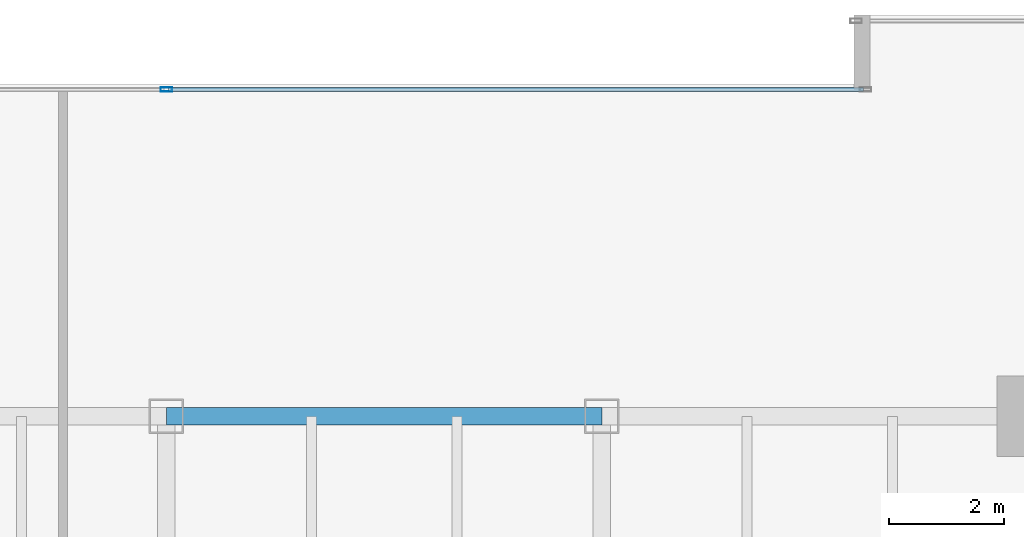
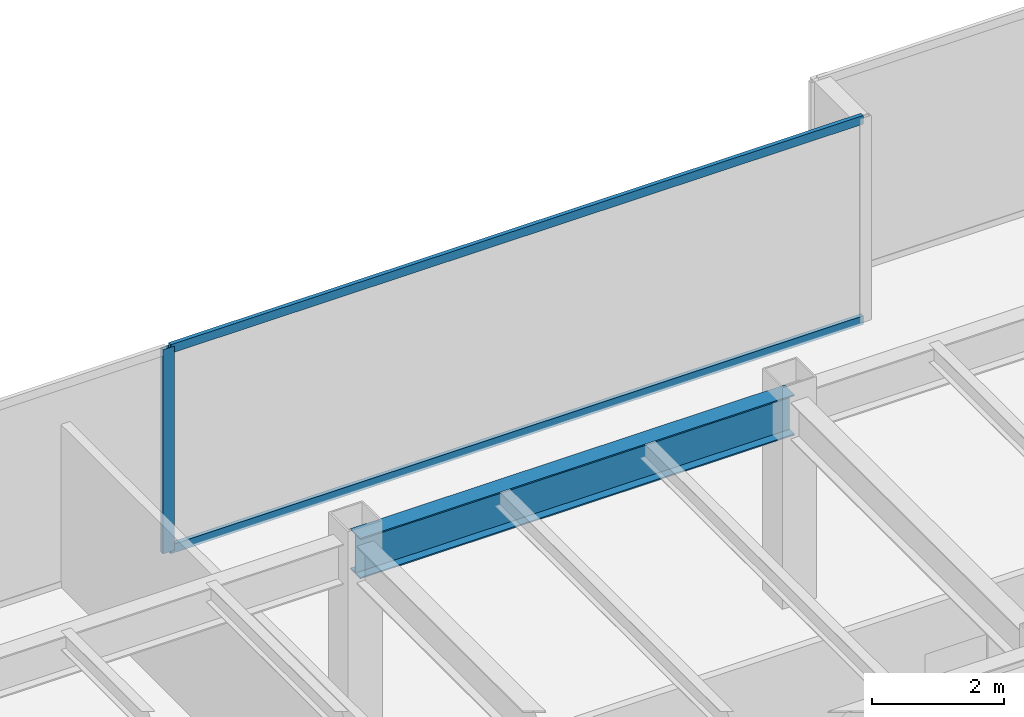
# One storey, part 18 of 35: 3 members, 1 beam, 1 element without a shape of its own.
"""IFC4 building model written with IfcOpenShell, lengths in metres."""

import ifcopenshell
import ifcopenshell.guid

model = None  # the IFC model being written
_history = None  # IfcOwnerHistory: only IFC2X3 demands one
_inside = {}  # id of a spatial element -> (the spatial element, [elements in it])
_under = {}  # id of a project, library or spatial element -> (it, [spatial elements below it])
_declared = {}  # id of a project -> (the project, [libraries it declares])
_typed = {}  # id of a type object -> (the type object, [elements of that type])
_made_of = {}  # id of a material, layer set ... -> (it, [elements and type objects made of it])


def new_model(schema):
    """Start an empty IFC model of exactly this schema.

    Asked for "IFC4X3", IfcOpenShell would pick the latest addendum, in which some entities
    have other attributes; the version numbers below select the first issue.
    IFC2X3 requires an IfcOwnerHistory on every rooted entity: one is made here for all.
    """
    global model, _history
    if schema == "IFC4X3":
        model = ifcopenshell.file(schema_version=(4, 3, 0, 0))
    else:
        model = ifcopenshell.file(schema=schema)
    _inside.clear()
    _under.clear()
    _declared.clear()
    _typed.clear()
    _made_of.clear()
    _history = None
    if model.schema == "IFC2X3":
        org = make("IfcOrganization", Name="unknown")
        user = make(
            "IfcPersonAndOrganization",
            ThePerson=make("IfcPerson", FamilyName="unknown"),
            TheOrganization=org,
        )
        app = make(
            "IfcApplication",
            ApplicationDeveloper=org,
            Version="unknown",
            ApplicationFullName="unknown",
            ApplicationIdentifier="unknown",
        )
        _history = make(
            "IfcOwnerHistory",
            OwningUser=user,
            OwningApplication=app,
            ChangeAction="ADDED",
            CreationDate=0,
        )
    return model


def make(cls, **values):
    """One entity of the class cls with the attributes given. An attribute that is None is left unset."""
    return model.create_entity(
        cls, **{name: value for name, value in values.items() if value is not None}
    )


def rooted(cls, **values):
    """An entity with a GlobalId (a new one), such as an element, a storey or a relation."""
    return make(cls, GlobalId=ifcopenshell.guid.new(), OwnerHistory=_history, **values)


def si_unit(unit_type, name, prefix=None):
    """IfcSIUnit, for example si_unit("LENGTHUNIT", "METRE", prefix="MILLI")."""
    return make("IfcSIUnit", UnitType=unit_type, Prefix=prefix, Name=name)


def assignment(units):
    """IfcUnitAssignment: the units of a project."""
    return None if units is None else make("IfcUnitAssignment", Units=units)


def point(xyz):
    """IfcCartesianPoint."""
    return None if xyz is None else make("IfcCartesianPoint", Coordinates=xyz)


def direction(xyz):
    """IfcDirection."""
    return None if xyz is None else make("IfcDirection", DirectionRatios=xyz)


def frame(location, z_axis=None, x_axis=None):
    """IfcAxis2Placement3D, a coordinate frame: its origin and axes. An axis left out is left unset."""
    return make(
        "IfcAxis2Placement3D",
        Location=point(location),
        Axis=direction(z_axis),
        RefDirection=direction(x_axis),
    )


def frame_2d(location, x_axis=None):
    """IfcAxis2Placement2D, a coordinate frame in the plane: its origin and x axis."""
    return make(
        "IfcAxis2Placement2D", Location=point(location), RefDirection=direction(x_axis)
    )


def origin():
    """The frame at (0, 0, 0) with its axes left unset."""
    return frame((0.0, 0.0, 0.0))


def origin_2d():
    """The frame at (0, 0) in the plane with its x axis left unset."""
    return frame_2d((0.0, 0.0))


def place(relative_to, where):
    """IfcLocalPlacement: puts the frame where relative to a parent placement (None: the world)."""
    return make(
        "IfcLocalPlacement", PlacementRelTo=relative_to, RelativePlacement=where
    )


def context(
    kind, dimensions, precision=None, world=None, true_north=None, identifier=None
):
    """IfcGeometricRepresentationContext, for example the 3D "Model" context."""
    return make(
        "IfcGeometricRepresentationContext",
        ContextIdentifier=identifier,
        ContextType=kind,
        CoordinateSpaceDimension=dimensions,
        Precision=precision,
        WorldCoordinateSystem=world,
        TrueNorth=true_north,
    )


def subcontext(parent, identifier, kind, view, scale=None):
    """IfcGeometricRepresentationSubContext, for example "Body" below "Model"."""
    return make(
        "IfcGeometricRepresentationSubContext",
        ContextIdentifier=identifier,
        ContextType=kind,
        ParentContext=parent,
        TargetScale=scale,
        TargetView=view,
    )


def project(units=None, contexts=None):
    """IfcProject with its units and contexts."""
    return rooted(
        "IfcProject",
        Name="project",
        RepresentationContexts=contexts,
        UnitsInContext=assignment(units),
    )


def spatial(cls, under=None, at=None, **own):
    """A site, building, storey or space (cls), placed at a placement, below another one or the project."""
    s = rooted(cls, ObjectPlacement=at, **own)
    if under is not None:
        _under.setdefault(under.id(), (under, []))[1].append(s)
    return s


def profile(cls, at=None, kind="AREA", **sizes):
    """A parametric profile (cls). Its sizes go by their IFC names, for example OverallWidth=200.0."""
    return make(cls, ProfileType=kind, Position=at, **sizes)


def hollow_rectangle(**sizes):
    """IfcRectangleHollowProfileDef."""
    return profile("IfcRectangleHollowProfileDef", **sizes)


def i_section(**sizes):
    """IfcIShapeProfileDef."""
    return profile("IfcIShapeProfileDef", **sizes)


def extrude(swept, where, along, depth):
    """IfcExtrudedAreaSolid: the profile swept, set in the frame where, extruded along a direction by depth."""
    return make(
        "IfcExtrudedAreaSolid",
        SweptArea=swept,
        Position=where,
        ExtrudedDirection=direction(along),
        Depth=depth,
    )


def shape(context_of_items, identifier, shape_type, items):
    """IfcShapeRepresentation: the items that make up one representation, for example the "Body"."""
    return make(
        "IfcShapeRepresentation",
        ContextOfItems=context_of_items,
        RepresentationIdentifier=identifier,
        RepresentationType=shape_type,
        Items=items,
    )


def source(mapping_origin, context_of_items, identifier, shape_type, items):
    """IfcRepresentationMap: a shape defined once, which mapped items show again and again."""
    return make(
        "IfcRepresentationMap",
        MappingOrigin=mapping_origin,
        MappedRepresentation=shape(context_of_items, identifier, shape_type, items),
    )


def transform(
    local_origin,
    x_axis=None,
    y_axis=None,
    z_axis=None,
    scale=None,
    scale2=None,
    scale3=None,
    uniform=True,
):
    """IfcCartesianTransformationOperator3D, or its non-uniform kind. x_axis, y_axis, z_axis: its Axis1, 2, 3."""
    if uniform:
        return make(
            "IfcCartesianTransformationOperator3D",
            Axis1=direction(x_axis),
            Axis2=direction(y_axis),
            LocalOrigin=point(local_origin),
            Scale=scale,
            Axis3=direction(z_axis),
        )
    return make(
        "IfcCartesianTransformationOperator3DnonUniform",
        Axis1=direction(x_axis),
        Axis2=direction(y_axis),
        LocalOrigin=point(local_origin),
        Scale=scale,
        Axis3=direction(z_axis),
        Scale2=scale2,
        Scale3=scale3,
    )


def mapped(mapping_source, mapping_target):
    """IfcMappedItem: shows the shape of a source again, moved by a transform."""
    return make(
        "IfcMappedItem", MappingSource=mapping_source, MappingTarget=mapping_target
    )


def material(Name=None, Category=None):
    """IfcMaterial."""
    return make("IfcMaterial", Name=Name, Category=Category)


def layer(
    of_material, thickness, ventilated=None, Name=None, Category=None, Priority=None
):
    """IfcMaterialLayer: one layer of a wall or slab, of a material (None: an air gap)."""
    return make(
        "IfcMaterialLayer",
        Material=of_material,
        LayerThickness=thickness,
        IsVentilated=ventilated,
        Name=Name,
        Category=Category,
        Priority=Priority,
    )


def layer_set(layers, Name=None):
    """IfcMaterialLayerSet."""
    return make("IfcMaterialLayerSet", MaterialLayers=layers, LayerSetName=Name)


def material_profile(
    of_material, cross_section, Name=None, Category=None, Priority=None
):
    """IfcMaterialProfile: a cross section and its material."""
    return make(
        "IfcMaterialProfile",
        Name=Name,
        Material=of_material,
        Profile=cross_section,
        Priority=Priority,
        Category=Category,
    )


def profile_set(profiles, Name=None, composite=None):
    """IfcMaterialProfileSet."""
    return make(
        "IfcMaterialProfileSet",
        Name=Name,
        MaterialProfiles=profiles,
        CompositeProfile=composite,
    )


def made_of(thing, what):
    """Note that an element or type object is made of a material, layer set ...; save() writes the relation."""
    if what is not None:
        _made_of.setdefault(what.id(), (what, []))[1].append(thing)
    return thing


def type_object(cls, material=None, **own):
    """A type object (cls), such as IfcWallType, which elements share."""
    return made_of(rooted(cls, **own), material)


def type_shapes(of_type, sources):
    """Give a type object the sources (RepresentationMaps) that its elements show as mapped items."""
    of_type.RepresentationMaps = sources


def element(
    cls,
    number,
    at=None,
    inside=None,
    cuts=None,
    type_object=None,
    material=None,
    context=None,
    identifier="Body",
    shape_type=None,
    held_by="IfcProductDefinitionShape",
    body=None,
    shapes=None,
    **own,
):
    """One element of the class cls, such as IfcWall. Its Tag is "e" and its number.

    at: its placement. inside: the storey or other place that contains it. cuts: it is an
    opening in that element (IfcRelVoidsElement). A single representation is given by context,
    identifier, shape_type and body (its items); several are given by shapes. held_by: the class
    of the entity that holds the representations. save() writes the other relations.
    """
    e = rooted(cls, Tag="e%d" % number, ObjectPlacement=at, **own)
    if body is not None:
        shapes = [shape(context, identifier, shape_type, body)]
    if shapes is not None:
        e.Representation = make(held_by, Representations=shapes)
    if inside is not None:
        _inside.setdefault(inside.id(), (inside, []))[1].append(e)
    if cuts is not None:
        rooted(
            "IfcRelVoidsElement", RelatingBuildingElement=cuts, RelatedOpeningElement=e
        )
    if type_object is not None:
        _typed.setdefault(type_object.id(), (type_object, []))[1].append(e)
    return made_of(e, material)


def aggregate(whole, parts):
    """IfcRelAggregates: a whole, such as a stair, and the parts it consists of."""
    return rooted("IfcRelAggregates", RelatingObject=whole, RelatedObjects=parts)


def save(model, path):
    """Write the relations noted so far, then the file.

    IfcRelAggregates (storeys below a building ...), IfcRelContainedInSpatialStructure (elements
    in a storey), IfcRelDefinesByType, IfcRelAssociatesMaterial and IfcRelDeclares: one each for
    every whole, place, type object, material and project.
    """
    for whole, parts in _under.values():
        aggregate(whole, parts)
    for where, things in _inside.values():
        rooted(
            "IfcRelContainedInSpatialStructure",
            RelatedElements=things,
            RelatingStructure=where,
        )
    for kind, things in _typed.values():
        rooted("IfcRelDefinesByType", RelatedObjects=things, RelatingType=kind)
    for what, things in _made_of.values():
        rooted("IfcRelAssociatesMaterial", RelatedObjects=things, RelatingMaterial=what)
    for by, libraries in _declared.values():
        rooted("IfcRelDeclares", RelatingContext=by, RelatedDefinitions=libraries)
    model.write(path)


model = new_model("IFC4")

# Units and contexts
model_context = context("Model", 3, precision=1e-05, world=origin(), true_north=direction((0.0, 1.0)))
body_context = subcontext(model_context, "Body", "Model", "MODEL_VIEW")
ifc_project = project(units=[si_unit("LENGTHUNIT", "METRE"), si_unit("AREAUNIT", "SQUARE_METRE"), si_unit("VOLUMEUNIT", "CUBIC_METRE"), si_unit("PLANEANGLEUNIT", "RADIAN"), si_unit("MASSUNIT", "GRAM", prefix="KILO")], contexts=[model_context])

# Site, building, storey
site_placement = place(None, origin())
site = spatial("IfcSite", under=ifc_project, at=site_placement, CompositionType="ELEMENT")
building_placement = place(site_placement, origin())
building = spatial("IfcBuilding", under=site, at=building_placement, Name="Haelvirn Gate Laboratories", CompositionType="ELEMENT")
storey_placement = place(building_placement, frame((0.0, 0.0, 58.0)))
storey = spatial("IfcBuildingStorey", under=building, at=storey_placement, Name="L14", CompositionType="ELEMENT", Elevation=58.0)

# Beam
ifc_material_1 = material(Name="Steel SM355", Category="steel")
ifc_material_profile_1 = material_profile(ifc_material_1, i_section(OverallWidth=0.300048828125, OverallDepth=0.75, WebThickness=0.013916015625, FlangeThickness=0.02392578125, at=origin_2d()), Name="H-750x300x14x24")
ifc_profile_set_1 = profile_set([ifc_material_profile_1], Name="Steel SM355")
beam_type = type_object("IfcBeamType", Name="BM-G-750", PredefinedType="BEAM", material=ifc_profile_set_1)
shared_shape_1 = source(origin(), body_context, "Body", "SweptSolid", [
    extrude(i_section(OverallWidth=0.300048828125, OverallDepth=0.75, WebThickness=0.013916015625, FlangeThickness=0.02392578125, at=origin_2d()), origin(), (0.0, 0.0, 1.0), 7.60009765625),
])
type_shapes(beam_type, [shared_shape_1])
beam_placement = place(storey_placement, frame((37.39990234375, 41.60009765625, 3.405029296875), z_axis=(1.0, 0.0, 0.0), x_axis=(0.0, 1.0, 0.0)))
element("IfcBeam", 1, at=beam_placement, inside=storey, type_object=beam_type, Name="L14 Primary Girder Y41.6 (37.4-45.0)", PredefinedType="BEAM", context=body_context, shape_type="MappedRepresentation", body=[
    mapped(shared_shape_1, transform((0.0, 0.0, 0.0), scale=1.0)),
])

# Curtain wall, members
ifc_material_2 = material(Name="Anodised bronze unitised aluminium & triple low-E glass", Category="aluminium")
ifc_layer = layer(ifc_material_2, 0.18408203125, Name="CW-SYS-2")
ifc_layer_set = layer_set([ifc_layer], Name="Anodised bronze unitised aluminium & triple low-E glass")
curtain_wall_type = type_object("IfcCurtainWallType", Name="CW-SYS-2", PredefinedType="NOTDEFINED", material=ifc_layer_set)
curtain_wall_placement = place(storey_placement, origin())
curtain_wall = element("IfcCurtainWall", 2, at=curtain_wall_placement, inside=storey, type_object=curtain_wall_type, Name="L14 Unitised Curtain Wall CW-L14-P0-E12-1", PredefinedType="NOTDEFINED")
ifc_material_3 = material(Name="Extruded aluminium 6063-T6 (anodised bronze)", Category="aluminium")
ifc_material_profile_2 = material_profile(ifc_material_3, hollow_rectangle(XDim=0.074951171875, YDim=0.199951171875, WallThickness=0.0048828125, at=origin_2d()), Name="CWM-200x75x5")
ifc_profile_set_2 = profile_set([ifc_material_profile_2], Name="Extruded aluminium 6063-T6 (anodised bronze)")
member_type_1 = type_object("IfcMemberType", Name="CWM-T200", PredefinedType="MULLION", material=ifc_profile_set_2)
shared_shape_2 = source(origin(), body_context, "Body", "SweptSolid", [
    extrude(hollow_rectangle(XDim=0.074951171875, YDim=0.199951171875, WallThickness=0.0048828125, at=origin_2d()), origin(), (0.0, 0.0, 1.0), 3.780029296875),
])
type_shapes(member_type_1, [shared_shape_2])
member_1_placement = place(storey_placement, frame((37.39990234375, 47.300048828125, 0.0), z_axis=(0.0, 0.0, 1.0), x_axis=(0.0, 1.0, 0.0)))
member_1 = element("IfcMember", 3, at=member_1_placement, type_object=member_type_1, Name="CW2 mullion 2", PredefinedType="MULLION", context=body_context, shape_type="MappedRepresentation", body=[
    mapped(shared_shape_2, transform((0.0, 0.0, 0.0), scale=1.0)),
])
ifc_material_profile_3 = material_profile(ifc_material_3, hollow_rectangle(XDim=0.070068359375, YDim=0.159912109375, WallThickness=0.0048828125, at=origin_2d()), Name="CWT-160x70x5")
ifc_profile_set_3 = profile_set([ifc_material_profile_3], Name="Extruded aluminium 6063-T6 (anodised bronze)")
member_type_2 = type_object("IfcMemberType", Name="CWT-T160", PredefinedType="USERDEFINED", material=ifc_profile_set_3)
shared_shape_3 = source(origin(), body_context, "Body", "SweptSolid", [
    extrude(hollow_rectangle(XDim=0.070068359375, YDim=0.159912109375, WallThickness=0.0048828125, at=origin_2d()), origin(), (0.0, 0.0, 1.0), 12.12744140625),
])
type_shapes(member_type_2, [shared_shape_3])
member_2_placement = place(storey_placement, frame((37.4375, 47.300048828125, 0.034912109375), z_axis=(1.0, 0.0, 0.0), x_axis=(0.0, 1.0, 0.0)))
member_2 = element("IfcMember", 4, at=member_2_placement, type_object=member_type_2, Name="CW2 transom 2.1", ObjectType="TRANSOM", PredefinedType="USERDEFINED", context=body_context, shape_type="MappedRepresentation", body=[
    mapped(shared_shape_3, transform((0.0, 0.0, 0.0), scale=1.0)),
])
member_3_placement = place(storey_placement, frame((37.4375, 47.300048828125, 3.7451171875), z_axis=(1.0, 0.0, 0.0), x_axis=(0.0, 1.0, 0.0)))
member_3 = element("IfcMember", 5, at=member_3_placement, type_object=member_type_2, Name="CW2 transom 2.2", ObjectType="TRANSOM", PredefinedType="USERDEFINED", context=body_context, shape_type="MappedRepresentation", body=[
    mapped(shared_shape_3, transform((0.0, 0.0, 0.0), scale=1.0)),
])
aggregate(curtain_wall, [member_1, member_2, member_3])

save(model, "model.ifc")
